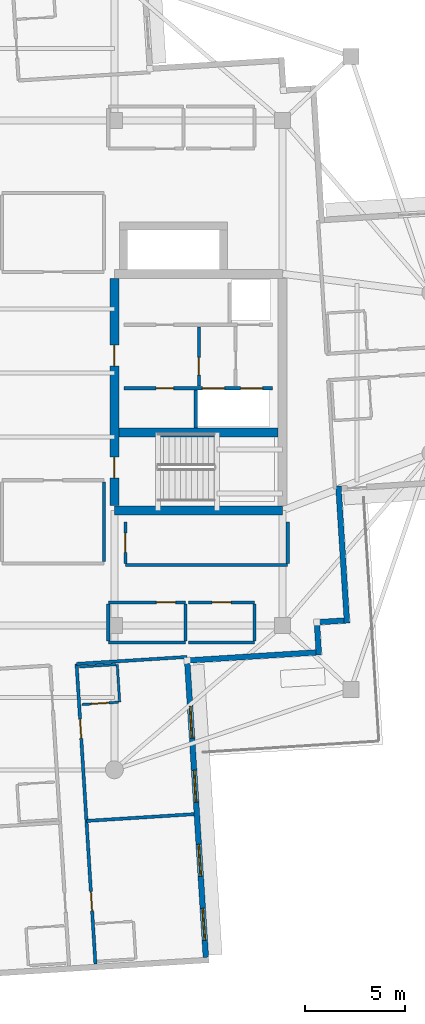
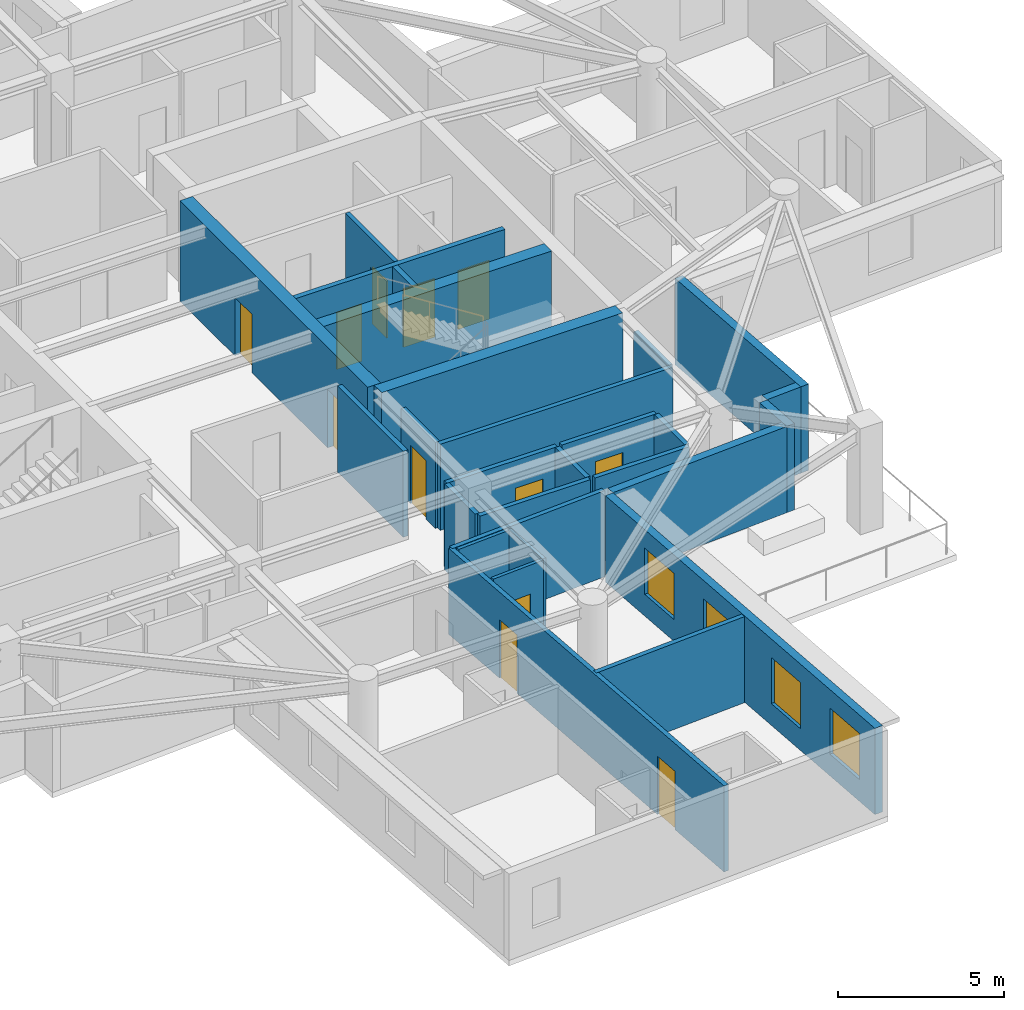
# One storey, part 5 of 13: 28 walls, 12 doors, 4 windows, 16 openings.
"""IFC4 building model written with IfcOpenShell, lengths in metres."""

from ifc_helpers import new_model, si_unit, direction, frame, frame_2d, origin, place, context, subcontext, project, spatial, rectangle, extrude, material, layer, layer_set, type_object, element, fill, save


model = new_model("IFC4")

# Units and contexts
model_context = context("Model", 3, precision=1e-05, world=origin(), true_north=direction((0.0, 1.0)))
body_context = subcontext(model_context, "Body", "Model", "MODEL_VIEW")
ifc_project = project(units=[si_unit("LENGTHUNIT", "METRE"), si_unit("AREAUNIT", "SQUARE_METRE"), si_unit("VOLUMEUNIT", "CUBIC_METRE"), si_unit("PLANEANGLEUNIT", "RADIAN"), si_unit("MASSUNIT", "GRAM", prefix="KILO")], contexts=[model_context])

# Site, building, storey
site_placement = place(None, origin())
site = spatial("IfcSite", under=ifc_project, at=site_placement, CompositionType="ELEMENT")
building_placement = place(site_placement, origin())
building = spatial("IfcBuilding", under=site, at=building_placement, Name="Qingluan Cross Belvedere", CompositionType="ELEMENT")
storey_placement = place(building_placement, frame((0.0, 0.0, 281.10009765625)))
storey = spatial("IfcBuildingStorey", under=building, at=storey_placement, Name="L70", CompositionType="ELEMENT", Elevation=281.10009765625)

# Wall
ifc_material_1 = material(Name="Concrete C50", Category="concrete")
ifc_layer_1 = layer(ifc_material_1, 0.449951171875, Name="CoreShearWall_450")
ifc_layer_set_1 = layer_set([ifc_layer_1], Name="Concrete C50")
wall_type_1 = type_object("IfcWallType", Name="CoreShearWall_450", PredefinedType="SHEAR", material=ifc_layer_set_1)
wall_1_placement = place(storey_placement, frame((4.0, -6.85009765625, 0.0), z_axis=(0.0, 0.0, 1.0), x_axis=(1.0, 0.0, 0.0)))
element("IfcWall", 1, at=wall_1_placement, inside=storey, type_object=wall_type_1, Name="Split core E shear wall L70-S", PredefinedType="SHEAR", context=body_context, shape_type="SweptSolid", body=[
    extrude(rectangle(XDim=8.39990234375, YDim=0.449951171875, at=frame_2d((4.199951171875, 0.0))), origin(), (0.0, 0.0, 1.0), 3.699951171875),
])

# Wall, openings, doors
wall_2_placement = place(storey_placement, frame((4.0, -6.6201171875, 0.0), z_axis=(0.0, 0.0, 1.0), x_axis=(0.0, 1.0, 0.0)))
wall_2 = element("IfcWall", 2, at=wall_2_placement, inside=storey, type_object=wall_type_1, Name="Split core E shear wall L70-W", PredefinedType="SHEAR", context=body_context, shape_type="SweptSolid", body=[
    extrude(rectangle(XDim=11.340087890625, YDim=0.449951171875, at=frame_2d((5.669921875, 0.0))), origin(), (0.0, 0.0, 1.0), 3.699951171875),
])
opening_1_placement = place(wall_2_placement, frame((1.3701171875, 0.0, 0.0)))
opening_1 = element("IfcOpeningElement", 3, at=opening_1_placement, cuts=wall_2, Name="Opening FD-B11", PredefinedType="OPENING", context=body_context, shape_type="SweptSolid", body=[
    extrude(rectangle(XDim=1.050048828125, YDim=2.14990234375, at=frame_2d((0.52490234375, 1.074951171875))), frame((0.0, 0.23486328125, 0.0), z_axis=(0.0, -1.0, 0.0), x_axis=(1.0, 0.0, 0.0)), (0.0, 0.0, 1.0), 0.469970703125),
])
opening_2_placement = place(wall_2_placement, frame((6.969970703125, 0.0, 0.0)))
opening_2 = element("IfcOpeningElement", 4, at=opening_2_placement, cuts=wall_2, Name="Opening FD-B11", PredefinedType="OPENING", context=body_context, shape_type="SweptSolid", body=[
    extrude(rectangle(XDim=1.050048828125, YDim=2.14990234375, at=frame_2d((0.52490234375, 1.074951171875))), frame((0.0, 0.23486328125, 0.0), z_axis=(0.0, -1.0, 0.0), x_axis=(1.0, 0.0, 0.0)), (0.0, 0.0, 1.0), 0.469970703125),
])
ifc_material_2 = material(Name="Steel Class B smoke-seal fire door", Category="steel")
door_type_1 = type_object("IfcDoorType", Name="StairLobbyFireDoor_FDB", OperationType="NOTDEFINED", PredefinedType="DOOR", material=ifc_material_2)
door_1_placement = place(opening_1_placement, origin())
door_1 = element("IfcDoor", 5, at=door_1_placement, inside=storey, type_object=door_type_1, Name="Smoke-proof stair ST2 fire door L70", OperationType="SINGLE_SWING_LEFT", OverallHeight=2.14990234375, OverallWidth=1.050048828125, PredefinedType="DOOR", context=body_context, shape_type="SweptSolid", body=[
    extrude(rectangle(XDim=1.050048828125, YDim=2.14990234375, at=frame_2d((0.52490234375, 1.074951171875))), frame((0.0, 0.02490234375, 0.0), z_axis=(0.0, -1.0, 0.0), x_axis=(1.0, 0.0, 0.0)), (0.0, 0.0, 1.0), 0.050048828125),
])
fill(opening_1, door_1)
door_2_placement = place(opening_2_placement, origin())
door_2 = element("IfcDoor", 6, at=door_2_placement, inside=storey, type_object=door_type_1, Name="Firefighting lobby East fire door L70", OperationType="SINGLE_SWING_LEFT", OverallHeight=2.14990234375, OverallWidth=1.050048828125, PredefinedType="DOOR", context=body_context, shape_type="SweptSolid", body=[
    extrude(rectangle(XDim=1.050048828125, YDim=2.14990234375, at=frame_2d((0.52490234375, 1.074951171875))), frame((0.0, 0.02490234375, 0.0), z_axis=(0.0, -1.0, 0.0), x_axis=(1.0, 0.0, 0.0)), (0.0, 0.0, 1.0), 0.050048828125),
])
fill(opening_2, door_2)

# Walls
wall_3_placement = place(storey_placement, frame((4.22998046875, -2.9599609375, 0.0), z_axis=(0.0, 0.0, 1.0), x_axis=(1.0, 0.0, 0.0)))
element("IfcWall", 7, at=wall_3_placement, inside=storey, type_object=wall_type_1, Name="Split core E shear wall L70-M", PredefinedType="SHEAR", context=body_context, shape_type="SweptSolid", body=[
    extrude(rectangle(XDim=7.93994140625, YDim=0.449951171875, at=frame_2d((3.969970703125, 0.0))), origin(), (0.0, 0.0, 1.0), 3.699951171875),
])
ifc_material_3 = material(Name="Gypsum plasterboard on steel stud acoustic partition", Category="steel")
ifc_layer_2 = layer(ifc_material_3, 0.159912109375, Name="CorridorPartition_160")
ifc_layer_set_2 = layer_set([ifc_layer_2], Name="Gypsum plasterboard on steel stud acoustic partition")
wall_type_2 = type_object("IfcWallType", Name="CorridorPartition_160", PredefinedType="PARTITIONING", material=ifc_layer_set_2)
wall_4_placement = place(storey_placement, frame((3.699951171875, -13.449951171875, 0.0), z_axis=(0.0, 0.0, 1.0), x_axis=(1.0, 0.0, 0.0)))
element("IfcWall", 8, at=wall_4_placement, inside=storey, type_object=wall_type_2, Name="Partition L70:q_se1:S", PredefinedType="PARTITIONING", context=body_context, shape_type="SweptSolid", body=[
    extrude(rectangle(XDim=3.85009765625, YDim=0.159912109375, at=frame_2d((1.925048828125, 0.0))), origin(), (0.0, 0.0, 1.0), 3.169921875),
])

# Wall, opening, door
wall_5_placement = place(storey_placement, frame((3.699951171875, -11.449951171875, 0.0), z_axis=(0.0, 0.0, 1.0), x_axis=(1.0, 0.0, 0.0)))
wall_5 = element("IfcWall", 9, at=wall_5_placement, inside=storey, type_object=wall_type_2, Name="Partition L70:q_se1:N", PredefinedType="PARTITIONING", context=body_context, shape_type="SweptSolid", body=[
    extrude(rectangle(XDim=3.85009765625, YDim=0.159912109375, at=frame_2d((1.925048828125, 0.0))), origin(), (0.0, 0.0, 1.0), 3.169921875),
])
opening_3_placement = place(wall_5_placement, frame((2.39501953125, 0.0, 0.0)))
opening_3 = element("IfcOpeningElement", 10, at=opening_3_placement, cuts=wall_5, Name="Opening GD-10", PredefinedType="OPENING", context=body_context, shape_type="SweptSolid", body=[
    extrude(rectangle(XDim=0.9599609375, YDim=2.14990234375, at=frame_2d((0.47998046875, 1.074951171875))), frame((0.0, 0.08984375, 0.0), z_axis=(0.0, -1.0, 0.0), x_axis=(1.0, 0.0, 0.0)), (0.0, 0.0, 1.0), 0.179931640625),
])
ifc_material_4 = material(Name="Timber oak fire-rated acoustic guestroom door", Category="wood")
door_type_2 = type_object("IfcDoorType", Name="GuestEntryDoor_FD60", OperationType="NOTDEFINED", PredefinedType="DOOR", material=ifc_material_4)
door_3_placement = place(opening_3_placement, origin())
door_3 = element("IfcDoor", 11, at=door_3_placement, inside=storey, type_object=door_type_2, Name="Private meeting salon L70 door", OperationType="SINGLE_SWING_RIGHT", OverallHeight=2.14990234375, OverallWidth=0.9599609375, PredefinedType="DOOR", context=body_context, shape_type="SweptSolid", body=[
    extrude(rectangle(XDim=0.9599609375, YDim=2.14990234375, at=frame_2d((0.47998046875, 1.074951171875))), frame((0.0, 0.02490234375, 0.0), z_axis=(0.0, -1.0, 0.0), x_axis=(1.0, 0.0, 0.0)), (0.0, 0.0, 1.0), 0.050048828125),
])
fill(opening_3, door_3)

# Walls
for number, where, z_axis, x_axis, name in (
    (12, (3.699951171875, -13.364990234375, 0.0), (0.0, 0.0, 1.0), (0.0, 1.0, 0.0), "Partition L70:q_se1:W"),
    (13, (7.550048828125, -13.364990234375, 0.0), (0.0, 0.0, 1.0), (0.0, 1.0, 0.0), "Partition L70:q_se1:E"),
):
    element("IfcWall", number, at=place(storey_placement, frame(where, z_axis=z_axis, x_axis=x_axis)), inside=storey, type_object=wall_type_2, Name=name, PredefinedType="PARTITIONING", context=body_context, shape_type="SweptSolid", body=[
        extrude(rectangle(XDim=1.830078125, YDim=0.159912109375, at=frame_2d((0.9150390625, 0.0))), origin(), (0.0, 0.0, 1.0), 3.169921875),
    ])
wall_6_placement = place(storey_placement, frame((7.7099609375, -13.449951171875, 0.0), z_axis=(0.0, 0.0, 1.0), x_axis=(1.0, 0.0, 0.0)))
element("IfcWall", 14, at=wall_6_placement, inside=storey, type_object=wall_type_2, Name="Partition L70:q_se2:S", PredefinedType="PARTITIONING", context=body_context, shape_type="SweptSolid", body=[
    extrude(rectangle(XDim=3.2900390625, YDim=0.159912109375, at=frame_2d((1.64501953125, 0.0))), origin(), (0.0, 0.0, 1.0), 3.169921875),
])

# Wall, opening, door
wall_7_placement = place(storey_placement, frame((7.7099609375, -11.449951171875, 0.0), z_axis=(0.0, 0.0, 1.0), x_axis=(1.0, 0.0, 0.0)))
wall_7 = element("IfcWall", 15, at=wall_7_placement, inside=storey, type_object=wall_type_2, Name="Partition L70:q_se2:N", PredefinedType="PARTITIONING", context=body_context, shape_type="SweptSolid", body=[
    extrude(rectangle(XDim=3.2900390625, YDim=0.159912109375, at=frame_2d((1.64501953125, 0.0))), origin(), (0.0, 0.0, 1.0), 3.169921875),
])
opening_4_placement = place(wall_7_placement, frame((1.1650390625, 0.0, 0.0)))
opening_4 = element("IfcOpeningElement", 16, at=opening_4_placement, cuts=wall_7, Name="Opening GD-10", PredefinedType="OPENING", context=body_context, shape_type="SweptSolid", body=[
    extrude(rectangle(XDim=0.9599609375, YDim=2.14990234375, at=frame_2d((0.47998046875, 1.074951171875))), frame((0.0, 0.08984375, 0.0), z_axis=(0.0, -1.0, 0.0), x_axis=(1.0, 0.0, 0.0)), (0.0, 0.0, 1.0), 0.179931640625),
])
door_4_placement = place(opening_4_placement, origin())
door_4 = element("IfcDoor", 17, at=door_4_placement, inside=storey, type_object=door_type_2, Name="Southeast study room L70 door", OperationType="SINGLE_SWING_LEFT", OverallHeight=2.14990234375, OverallWidth=0.9599609375, PredefinedType="DOOR", context=body_context, shape_type="SweptSolid", body=[
    extrude(rectangle(XDim=0.9599609375, YDim=2.14990234375, at=frame_2d((0.47998046875, 1.074951171875))), frame((0.0, 0.02490234375, 0.0), z_axis=(0.0, -1.0, 0.0), x_axis=(1.0, 0.0, 0.0)), (0.0, 0.0, 1.0), 0.050048828125),
])
fill(opening_4, door_4)

# Walls
wall_8_placement = place(storey_placement, frame((11.0, -13.364990234375, 0.0), z_axis=(0.0, 0.0, 1.0), x_axis=(0.0, 1.0, 0.0)))
element("IfcWall", 18, at=wall_8_placement, inside=storey, type_object=wall_type_2, Name="Partition L70:q_se2:E", PredefinedType="PARTITIONING", context=body_context, shape_type="SweptSolid", body=[
    extrude(rectangle(XDim=1.830078125, YDim=0.159912109375, at=frame_2d((0.9150390625, 0.0))), origin(), (0.0, 0.0, 1.0), 3.169921875),
])
wall_9_placement = place(storey_placement, frame((3.47998046875, -9.4150390625, 0.0), z_axis=(0.0, 0.0, 1.0), x_axis=(0.0, 1.0, 0.0)))
element("IfcWall", 19, at=wall_9_placement, inside=storey, type_object=wall_type_2, Name="Partition L70:sky_south_alcove:E", PredefinedType="PARTITIONING", context=body_context, shape_type="SweptSolid", body=[
    extrude(rectangle(XDim=3.97998046875, YDim=0.159912109375, at=frame_2d((1.989990234375, 0.0))), origin(), (0.0, 0.0, 1.0), 3.169921875),
])
wall_10_placement = place(storey_placement, frame((4.550048828125, -9.580078125, 0.0), z_axis=(0.0, 0.0, 1.0), x_axis=(1.0, 0.0, 0.0)))
element("IfcWall", 20, at=wall_10_placement, inside=storey, type_object=wall_type_2, Name="Partition L70:rec_st4:S", PredefinedType="PARTITIONING", context=body_context, shape_type="SweptSolid", body=[
    extrude(rectangle(XDim=8.099853515625, YDim=0.159912109375, at=frame_2d((4.0498046875, 0.0))), origin(), (0.0, 0.0, 1.0), 3.169921875),
])

# Wall, opening, door
wall_11_placement = place(storey_placement, frame((4.550048828125, -9.4951171875, 0.0), z_axis=(0.0, 0.0, 1.0), x_axis=(0.0, 1.0, 0.0)))
wall_11 = element("IfcWall", 21, at=wall_11_placement, inside=storey, type_object=wall_type_2, Name="Partition L70:rec_st4:W", PredefinedType="PARTITIONING", context=body_context, shape_type="SweptSolid", body=[
    extrude(rectangle(XDim=2.06005859375, YDim=0.159912109375, at=frame_2d((1.030029296875, 0.0))), origin(), (0.0, 0.0, 1.0), 3.169921875),
])
opening_5_placement = place(wall_11_placement, frame((0.550048828125, 0.0, 0.0)))
opening_5 = element("IfcOpeningElement", 22, at=opening_5_placement, cuts=wall_11, Name="Opening GD-10", PredefinedType="OPENING", context=body_context, shape_type="SweptSolid", body=[
    extrude(rectangle(XDim=0.9599609375, YDim=2.14990234375, at=frame_2d((0.47998046875, 1.074951171875))), frame((0.0, 0.08984375, 0.0), z_axis=(0.0, -1.0, 0.0), x_axis=(1.0, 0.0, 0.0)), (0.0, 0.0, 1.0), 0.179931640625),
])
door_5_placement = place(opening_5_placement, origin())
door_5 = element("IfcDoor", 23, at=door_5_placement, inside=storey, type_object=door_type_2, Name="Southeast club library room L70 door", OperationType="SINGLE_SWING_LEFT", OverallHeight=2.14990234375, OverallWidth=0.9599609375, PredefinedType="DOOR", context=body_context, shape_type="SweptSolid", body=[
    extrude(rectangle(XDim=0.9599609375, YDim=2.14990234375, at=frame_2d((0.47998046875, 1.074951171875))), frame((0.0, 0.02490234375, 0.0), z_axis=(0.0, -1.0, 0.0), x_axis=(1.0, 0.0, 0.0)), (0.0, 0.0, 1.0), 0.050048828125),
])
fill(opening_5, door_5)

# Wall
wall_12_placement = place(storey_placement, frame((12.64990234375, -9.4951171875, 0.0), z_axis=(0.0, 0.0, 1.0), x_axis=(0.0, 1.0, 0.0)))
element("IfcWall", 24, at=wall_12_placement, inside=storey, type_object=wall_type_2, Name="Partition L70:rec_st4:E", PredefinedType="PARTITIONING", context=body_context, shape_type="SweptSolid", body=[
    extrude(rectangle(XDim=2.06005859375, YDim=0.159912109375, at=frame_2d((1.030029296875, 0.0))), origin(), (0.0, 0.0, 1.0), 3.169921875),
])

# Wall, openings, doors
wall_13_placement = place(storey_placement, frame((2.115478515625, -14.515869140625, 0.0), z_axis=(0.0, 0.0, 1.0), x_axis=(0.062791373209, -0.998026674719, 0.0)))
wall_13 = element("IfcWall", 25, at=wall_13_placement, inside=storey, type_object=wall_type_2, Name="Partition L70:S:c0", PredefinedType="PARTITIONING", context=body_context, shape_type="SweptSolid", body=[
    extrude(rectangle(XDim=15.011962890625, YDim=0.159912109375, at=frame_2d((7.505859375, 0.0))), origin(), (0.0, 0.0, 1.0), 3.169921875),
])
opening_6_placement = place(wall_13_placement, frame((2.764892578125, 0.0, 0.0)))
opening_6 = element("IfcOpeningElement", 26, at=opening_6_placement, cuts=wall_13, Name="Opening GD-10", PredefinedType="OPENING", context=body_context, shape_type="SweptSolid", body=[
    extrude(rectangle(XDim=0.9599609375, YDim=2.14990234375, at=frame_2d((0.47998046875, 1.074951171875))), frame((0.0, 0.08984375, 0.0), z_axis=(0.0, -1.0, 0.0), x_axis=(1.0, 0.0, 0.0)), (0.0, 0.0, 1.0), 0.179931640625),
])
opening_7_placement = place(wall_13_placement, frame((11.381103515625, 0.0, 0.0)))
opening_7 = element("IfcOpeningElement", 27, at=opening_7_placement, cuts=wall_13, Name="Opening GD-10", PredefinedType="OPENING", context=body_context, shape_type="SweptSolid", body=[
    extrude(rectangle(XDim=0.9599609375, YDim=2.14990234375, at=frame_2d((0.47998046875, 1.074951171875))), frame((0.0, 0.08984375, 0.0), z_axis=(0.0, -1.0, 0.0), x_axis=(1.0, 0.0, 0.0)), (0.0, 0.0, 1.0), 0.179931640625),
])
door_6_placement = place(opening_6_placement, origin())
door_6 = element("IfcDoor", 28, at=door_6_placement, inside=storey, type_object=door_type_2, Name="Guest entry fire door 7015", OperationType="SINGLE_SWING_LEFT", OverallHeight=2.14990234375, OverallWidth=0.9599609375, PredefinedType="DOOR", context=body_context, shape_type="SweptSolid", body=[
    extrude(rectangle(XDim=0.9599609375, YDim=2.14990234375, at=frame_2d((0.47998046875, 1.074951171875))), frame((0.0, 0.02490234375, 0.0), z_axis=(0.0, -1.0, 0.0), x_axis=(1.0, 0.0, 0.0)), (0.0, 0.0, 1.0), 0.050048828125),
])
fill(opening_6, door_6)
door_7_placement = place(opening_7_placement, origin())
door_7 = element("IfcDoor", 29, at=door_7_placement, inside=storey, type_object=door_type_2, Name="Guest entry fire door 7016", OperationType="SINGLE_SWING_LEFT", OverallHeight=2.14990234375, OverallWidth=0.9599609375, PredefinedType="DOOR", context=body_context, shape_type="SweptSolid", body=[
    extrude(rectangle(XDim=0.9599609375, YDim=2.14990234375, at=frame_2d((0.47998046875, 1.074951171875))), frame((0.0, 0.02490234375, 0.0), z_axis=(0.0, -1.0, 0.0), x_axis=(1.0, 0.0, 0.0)), (0.0, 0.0, 1.0), 0.050048828125),
])
fill(opening_7, door_7)

# Walls
wall_14_placement = place(storey_placement, frame((2.115478515625, -14.515869140625, 0.0), z_axis=(0.0, 0.0, 1.0), x_axis=(0.998025986639, 0.062802308829, 0.0)))
element("IfcWall", 30, at=wall_14_placement, inside=storey, type_object=wall_type_2, Name="Partition L70:S:s0", PredefinedType="PARTITIONING", context=body_context, shape_type="SweptSolid", body=[
    extrude(rectangle(XDim=5.520263671875, YDim=0.159912109375, at=frame_2d((2.76025390625, 0.0))), origin(), (0.0, 0.0, 1.0), 3.169921875),
])
wall_15_placement = place(storey_placement, frame((2.608642578125, -22.353271484375, 0.0), z_axis=(0.0, 0.0, 1.0), x_axis=(0.998028633246, 0.062760235987, 0.0)))
element("IfcWall", 31, at=wall_15_placement, inside=storey, type_object=wall_type_2, Name="Partition L70:S:d0_0", PredefinedType="PARTITIONING", context=body_context, shape_type="SweptSolid", body=[
    extrude(rectangle(XDim=5.3720703125, YDim=0.159912109375, at=frame_2d((2.68603515625, 0.0))), origin(), (0.0, 0.0, 1.0), 3.169921875),
])

# Wall, opening, door
ifc_material_5 = material(Name="Moisture-resistant gypsum board lining")
ifc_layer_3 = layer(ifc_material_5, 0.1201171875, Name="EnsuiteWetPartition_120")
ifc_layer_set_3 = layer_set([ifc_layer_3], Name="Moisture-resistant gypsum board lining")
wall_type_3 = type_object("IfcWallType", Name="EnsuiteWetPartition_120", PredefinedType="PARTITIONING", material=ifc_layer_set_3)
wall_16_placement = place(storey_placement, frame((2.38330078125, -16.54296875, 0.0), z_axis=(0.0, 0.0, 1.0), x_axis=(0.998027972529, 0.062770741989, 0.0)))
wall_16 = element("IfcWall", 32, at=wall_16_placement, inside=storey, type_object=wall_type_3, Name="Partition L70:S:bs0_0", PredefinedType="PARTITIONING", context=body_context, shape_type="SweptSolid", body=[
    extrude(rectangle(XDim=1.8203125, YDim=0.1201171875, at=frame_2d((0.91015625, 0.0))), origin(), (0.0, 0.0, 1.0), 3.169921875),
])
opening_8_placement = place(wall_16_placement, frame((0.469970703125, 0.0, 0.0)))
opening_8 = element("IfcOpeningElement", 33, at=opening_8_placement, cuts=wall_16, Name="Opening BD-09", PredefinedType="OPENING", context=body_context, shape_type="SweptSolid", body=[
    extrude(rectangle(XDim=0.8798828125, YDim=2.10009765625, at=frame_2d((0.43994140625, 1.050048828125))), frame((0.0, 0.070068359375, 0.0), z_axis=(0.0, -1.0, 0.0), x_axis=(1.0, 0.0, 0.0)), (0.0, 0.0, 1.0), 0.14013671875),
])
ifc_material_6 = material(Name="Moisture-sealed timber en-suite door", Category="wood")
door_type_3 = type_object("IfcDoorType", Name="BathroomDoor_880", OperationType="NOTDEFINED", PredefinedType="DOOR", material=ifc_material_6)
door_8_placement = place(opening_8_placement, origin())
door_8 = element("IfcDoor", 34, at=door_8_placement, inside=storey, type_object=door_type_3, Name="Bathroom door 7015", OperationType="SINGLE_SWING_RIGHT", OverallHeight=2.10009765625, OverallWidth=0.8798828125, PredefinedType="DOOR", context=body_context, shape_type="SweptSolid", body=[
    extrude(rectangle(XDim=0.8798828125, YDim=2.10009765625, at=frame_2d((0.43994140625, 1.050048828125))), frame((0.0, 0.02490234375, 0.0), z_axis=(0.0, -1.0, 0.0), x_axis=(1.0, 0.0, 0.0)), (0.0, 0.0, 1.0), 0.050048828125),
])
fill(opening_8, door_8)

# Walls
wall_17_placement = place(storey_placement, frame((2.265380859375, -14.666748046875, 0.0), z_axis=(0.0, 0.0, 1.0), x_axis=(0.998027443946, 0.062779145668, 0.0)))
element("IfcWall", 35, at=wall_17_placement, inside=storey, type_object=wall_type_3, Name="Partition L70:S:bw0_0", PredefinedType="PARTITIONING", context=body_context, shape_type="SweptSolid", body=[
    extrude(rectangle(XDim=1.820068359375, YDim=0.1201171875, at=frame_2d((0.91015625, 0.0))), origin(), (0.0, 0.0, 1.0), 3.169921875),
])
wall_18_placement = place(storey_placement, frame((4.146728515625, -14.54833984375, 0.0), z_axis=(0.0, 0.0, 1.0), x_axis=(0.062725942896, -0.998030789148, 0.0)))
element("IfcWall", 36, at=wall_18_placement, inside=storey, type_object=wall_type_3, Name="Partition L70:S:bn0_0", PredefinedType="PARTITIONING", context=body_context, shape_type="SweptSolid", body=[
    extrude(rectangle(XDim=1.8798828125, YDim=0.1201171875, at=frame_2d((0.93994140625, 0.0))), origin(), (0.0, 0.0, 1.0), 3.169921875),
])

# Wall, openings, windows
ifc_material_7 = material(Name="Precast concrete C45", Category="concrete")
ifc_layer_4 = layer(ifc_material_7, 0.280029296875, Name="PrecastFacadeWall_280")
ifc_layer_set_4 = layer_set([ifc_layer_4], Name="Precast concrete C45")
wall_type_4 = type_object("IfcWallType", Name="PrecastFacadeWall_280", PredefinedType="STANDARD", material=ifc_layer_set_4)
wall_19_placement = place(storey_placement, frame((8.56787109375, -29.15966796875, 0.0), z_axis=(0.0, 0.0, 1.0), x_axis=(-0.062794967833, 0.998026448555, 0.0)))
wall_19 = element("IfcWall", 37, at=wall_19_placement, inside=storey, type_object=wall_type_4, Name="Facade wall L70-SB", PredefinedType="STANDARD", context=body_context, shape_type="SweptSolid", body=[
    extrude(rectangle(XDim=14.7001953125, YDim=0.280029296875, at=frame_2d((7.35009765625, 0.0))), origin(), (0.0, 0.0, 1.0), 3.179931640625),
])
opening_9_placement = place(wall_19_placement, frame((0.85009765625, 0.0, 0.800048828125)))
opening_9 = element("IfcOpeningElement", 38, at=opening_9_placement, cuts=wall_19, Name="Opening W-04", PredefinedType="OPENING", context=body_context, shape_type="SweptSolid", body=[
    extrude(rectangle(XDim=1.60009765625, YDim=1.699951171875, at=frame_2d((0.800048828125, 0.85009765625))), frame((0.0, 0.14990234375, 0.0), z_axis=(0.0, -1.0, 0.0), x_axis=(1.0, 0.0, 0.0)), (0.0, 0.0, 1.0), 0.300048828125),
])
opening_10_placement = place(wall_19_placement, frame((4.050048828125, 0.0, 0.800048828125)))
opening_10 = element("IfcOpeningElement", 39, at=opening_10_placement, cuts=wall_19, Name="Opening W-04", PredefinedType="OPENING", context=body_context, shape_type="SweptSolid", body=[
    extrude(rectangle(XDim=1.60009765625, YDim=1.699951171875, at=frame_2d((0.800048828125, 0.85009765625))), frame((0.0, 0.14990234375, 0.0), z_axis=(0.0, -1.0, 0.0), x_axis=(1.0, 0.0, 0.0)), (0.0, 0.0, 1.0), 0.300048828125),
])
opening_11_placement = place(wall_19_placement, frame((7.75, 0.0, 0.800048828125)))
opening_11 = element("IfcOpeningElement", 40, at=opening_11_placement, cuts=wall_19, Name="Opening W-04", PredefinedType="OPENING", context=body_context, shape_type="SweptSolid", body=[
    extrude(rectangle(XDim=1.60009765625, YDim=1.699951171875, at=frame_2d((0.800048828125, 0.85009765625))), frame((0.0, 0.14990234375, 0.0), z_axis=(0.0, -1.0, 0.0), x_axis=(1.0, 0.0, 0.0)), (0.0, 0.0, 1.0), 0.300048828125),
])
opening_12_placement = place(wall_19_placement, frame((10.949951171875, 0.0, 0.800048828125)))
opening_12 = element("IfcOpeningElement", 41, at=opening_12_placement, cuts=wall_19, Name="Opening W-04", PredefinedType="OPENING", context=body_context, shape_type="SweptSolid", body=[
    extrude(rectangle(XDim=1.60009765625, YDim=1.699951171875, at=frame_2d((0.800048828125, 0.85009765625))), frame((0.0, 0.14990234375, 0.0), z_axis=(0.0, -1.0, 0.0), x_axis=(1.0, 0.0, 0.0)), (0.0, 0.0, 1.0), 0.300048828125),
])
ifc_material_8 = material(Name="Thermally broken triple Low-E glass in aluminium frame", Category="aluminium")
window_type = type_object("IfcWindowType", Name="SuiteCornerWin_1600x1700", PartitioningType="SINGLE_PANEL", PredefinedType="WINDOW", material=ifc_material_8)
window_1_placement = place(opening_9_placement, origin())
window_1 = element("IfcWindow", 42, at=window_1_placement, inside=storey, type_object=window_type, Name="Ribbon window L70-SB-1", OverallHeight=1.699951171875, OverallWidth=1.60009765625, PartitioningType="SINGLE_PANEL", PredefinedType="WINDOW", context=body_context, shape_type="SweptSolid", body=[
    extrude(rectangle(XDim=1.60009765625, YDim=1.699951171875, at=frame_2d((0.800048828125, 0.85009765625))), frame((0.0, 0.030029296875, 0.0), z_axis=(0.0, -1.0, 0.0), x_axis=(1.0, 0.0, 0.0)), (0.0, 0.0, 1.0), 0.06005859375),
])
fill(opening_9, window_1)
window_2_placement = place(opening_10_placement, origin())
window_2 = element("IfcWindow", 43, at=window_2_placement, inside=storey, type_object=window_type, Name="Ribbon window L70-SB-2", OverallHeight=1.699951171875, OverallWidth=1.60009765625, PartitioningType="SINGLE_PANEL", PredefinedType="WINDOW", context=body_context, shape_type="SweptSolid", body=[
    extrude(rectangle(XDim=1.60009765625, YDim=1.699951171875, at=frame_2d((0.800048828125, 0.85009765625))), frame((0.0, 0.030029296875, 0.0), z_axis=(0.0, -1.0, 0.0), x_axis=(1.0, 0.0, 0.0)), (0.0, 0.0, 1.0), 0.06005859375),
])
fill(opening_10, window_2)
window_3_placement = place(opening_11_placement, origin())
window_3 = element("IfcWindow", 44, at=window_3_placement, inside=storey, type_object=window_type, Name="Ribbon window L70-SB-3", OverallHeight=1.699951171875, OverallWidth=1.60009765625, PartitioningType="SINGLE_PANEL", PredefinedType="WINDOW", context=body_context, shape_type="SweptSolid", body=[
    extrude(rectangle(XDim=1.60009765625, YDim=1.699951171875, at=frame_2d((0.800048828125, 0.85009765625))), frame((0.0, 0.030029296875, 0.0), z_axis=(0.0, -1.0, 0.0), x_axis=(1.0, 0.0, 0.0)), (0.0, 0.0, 1.0), 0.06005859375),
])
fill(opening_11, window_3)
window_4_placement = place(opening_12_placement, origin())
window_4 = element("IfcWindow", 45, at=window_4_placement, inside=storey, type_object=window_type, Name="Ribbon window L70-SB-4", OverallHeight=1.699951171875, OverallWidth=1.60009765625, PartitioningType="SINGLE_PANEL", PredefinedType="WINDOW", context=body_context, shape_type="SweptSolid", body=[
    extrude(rectangle(XDim=1.60009765625, YDim=1.699951171875, at=frame_2d((0.800048828125, 0.85009765625))), frame((0.0, 0.030029296875, 0.0), z_axis=(0.0, -1.0, 0.0), x_axis=(1.0, 0.0, 0.0)), (0.0, 0.0, 1.0), 0.06005859375),
])
fill(opening_12, window_4)

# Walls
wall_20_placement = place(storey_placement, frame((15.18408203125, -5.6376953125, 0.0), z_axis=(0.0, 0.0, 1.0), x_axis=(0.062779317195, -0.998027433156, 0.0)))
element("IfcWall", 46, at=wall_20_placement, inside=storey, type_object=wall_type_4, Name="Corner wall L70-SE1", PredefinedType="STANDARD", context=body_context, shape_type="SweptSolid", body=[
    extrude(rectangle(XDim=6.85986328125, YDim=0.280029296875, at=frame_2d((3.429931640625, 0.0))), origin(), (0.0, 0.0, 1.0), 3.179931640625),
])
wall_21_placement = place(storey_placement, frame((15.46630859375, -12.353271484375, 0.0), z_axis=(0.0, 0.0, 1.0), x_axis=(-0.998024450254, -0.062826719603, 0.0)))
element("IfcWall", 47, at=wall_21_placement, inside=storey, type_object=wall_type_4, Name="Corner wall L70-SE2", PredefinedType="STANDARD", context=body_context, shape_type="SweptSolid", body=[
    extrude(rectangle(XDim=1.22021484375, YDim=0.280029296875, at=frame_2d((0.610107421875, 0.0))), origin(), (0.0, 0.0, 1.0), 3.179931640625),
])
wall_22_placement = place(storey_placement, frame((14.11767578125, -12.578369140625, 0.0), z_axis=(0.0, 0.0, 1.0), x_axis=(0.062824119533, -0.998024613927, 0.0)))
element("IfcWall", 48, at=wall_22_placement, inside=storey, type_object=wall_type_4, Name="Corner wall L70-SE3", PredefinedType="STANDARD", context=body_context, shape_type="SweptSolid", body=[
    extrude(rectangle(XDim=1.5, YDim=0.280029296875, at=frame_2d((0.75, 0.0))), origin(), (0.0, 0.0, 1.0), 3.179931640625),
])
wall_23_placement = place(storey_placement, frame((14.063232421875, -13.944580078125, 0.0), z_axis=(0.0, 0.0, 1.0), x_axis=(-0.998027314704, -0.062781200242, 0.0)))
element("IfcWall", 49, at=wall_23_placement, inside=storey, type_object=wall_type_4, Name="Corner wall L70-SE4", PredefinedType="STANDARD", context=body_context, shape_type="SweptSolid", body=[
    extrude(rectangle(XDim=6.2998046875, YDim=0.280029296875, at=frame_2d((3.14990234375, 0.0))), origin(), (0.0, 0.0, 1.0), 3.179931640625),
])

# Wall, openings, doors
ifc_material_9 = material(Name="Concrete C40", Category="concrete")
ifc_layer_5 = layer(ifc_material_9, 0.219970703125, Name="ShaftEnclosureWall_250")
ifc_layer_set_5 = layer_set([ifc_layer_5], Name="Concrete C40")
wall_type_5 = type_object("IfcWallType", Name="ShaftEnclosureWall_250", PredefinedType="SOLIDWALL", material=ifc_layer_set_5)
wall_24_placement = place(storey_placement, frame((4.47998046875, -0.75, 0.0), z_axis=(0.0, 0.0, 1.0), x_axis=(1.0, 0.0, 0.0)))
wall_24 = element("IfcWall", 50, at=wall_24_placement, inside=storey, type_object=wall_type_5, Name="Core-E mid hoistway wall L70", PredefinedType="SOLIDWALL", context=body_context, shape_type="SweptSolid", body=[
    extrude(rectangle(XDim=7.419921875, YDim=0.179931640625, at=frame_2d((3.7099609375, 0.0))), origin(), (0.0, 0.0, 1.0), 3.169921875),
])
opening_13_placement = place(wall_24_placement, frame((3.919921875, 0.0, 0.0)))
opening_13 = element("IfcOpeningElement", 51, at=opening_13_placement, cuts=wall_24, Name="Opening LD-11", PredefinedType="OPENING", context=body_context, shape_type="SweptSolid", body=[
    extrude(rectangle(XDim=1.10009765625, YDim=2.14990234375, at=frame_2d((0.550048828125, 1.074951171875))), frame((0.0, 0.099853515625, 0.0), z_axis=(0.0, -1.0, 0.0), x_axis=(1.0, 0.0, 0.0)), (0.0, 0.0, 1.0), 0.199951171875),
])
opening_14_placement = place(wall_24_placement, frame((5.820068359375, 0.0, 0.0)))
opening_14 = element("IfcOpeningElement", 52, at=opening_14_placement, cuts=wall_24, Name="Opening LD-11", PredefinedType="OPENING", context=body_context, shape_type="SweptSolid", body=[
    extrude(rectangle(XDim=1.10009765625, YDim=2.14990234375, at=frame_2d((0.550048828125, 1.074951171875))), frame((0.0, 0.099853515625, 0.0), z_axis=(0.0, -1.0, 0.0), x_axis=(1.0, 0.0, 0.0)), (0.0, 0.0, 1.0), 0.199951171875),
])
opening_15_placement = place(wall_24_placement, frame((1.60009765625, 0.0, 0.0)))
opening_15 = element("IfcOpeningElement", 53, at=opening_15_placement, cuts=wall_24, Name="Opening FD-B10", PredefinedType="OPENING", context=body_context, shape_type="SweptSolid", body=[
    extrude(rectangle(XDim=0.8798828125, YDim=2.10009765625, at=frame_2d((0.43994140625, 1.050048828125))), frame((0.0, 0.099853515625, 0.0), z_axis=(0.0, -1.0, 0.0), x_axis=(1.0, 0.0, 0.0)), (0.0, 0.0, 1.0), 0.199951171875),
])
ifc_material_10 = material(Name="Brushed stainless steel centre-opening lift landing door", Category="steel")
door_type_4 = type_object("IfcDoorType", Name="LiftLandingSlidingDoor_1100", OperationType="DOUBLE_DOOR_SLIDING", PredefinedType="DOOR", material=ifc_material_10)
door_9_placement = place(opening_13_placement, origin())
door_9 = element("IfcDoor", 54, at=door_9_placement, inside=storey, type_object=door_type_4, Name="Lift landing sliding door LP9 L70", OperationType="DOUBLE_DOOR_SLIDING", OverallHeight=2.14990234375, OverallWidth=1.10009765625, PredefinedType="DOOR", context=body_context, shape_type="SweptSolid", body=[
    extrude(rectangle(XDim=1.10009765625, YDim=2.14990234375, at=frame_2d((0.550048828125, 1.074951171875))), frame((0.0, 0.02490234375, 0.0), z_axis=(0.0, -1.0, 0.0), x_axis=(1.0, 0.0, 0.0)), (0.0, 0.0, 1.0), 0.050048828125),
])
fill(opening_13, door_9)
door_10_placement = place(opening_14_placement, origin())
door_10 = element("IfcDoor", 55, at=door_10_placement, inside=storey, type_object=door_type_4, Name="Lift landing sliding door LP10 L70", OperationType="DOUBLE_DOOR_SLIDING", OverallHeight=2.14990234375, OverallWidth=1.10009765625, PredefinedType="DOOR", context=body_context, shape_type="SweptSolid", body=[
    extrude(rectangle(XDim=1.10009765625, YDim=2.14990234375, at=frame_2d((0.550048828125, 1.074951171875))), frame((0.0, 0.02490234375, 0.0), z_axis=(0.0, -1.0, 0.0), x_axis=(1.0, 0.0, 0.0)), (0.0, 0.0, 1.0), 0.050048828125),
])
fill(opening_14, door_10)
ifc_material_11 = material(Name="Steel Class B service fire door", Category="steel")
door_type_5 = type_object("IfcDoorType", Name="RiserServiceFireDoor_FDB", OperationType="NOTDEFINED", PredefinedType="DOOR", material=ifc_material_11)
door_11_placement = place(opening_15_placement, origin())
door_11 = element("IfcDoor", 56, at=door_11_placement, inside=storey, type_object=door_type_5, Name="Upper-zone linen store door L70", OperationType="SINGLE_SWING_RIGHT", OverallHeight=2.10009765625, OverallWidth=0.8798828125, PredefinedType="DOOR", context=body_context, shape_type="SweptSolid", body=[
    extrude(rectangle(XDim=0.8798828125, YDim=2.10009765625, at=frame_2d((0.43994140625, 1.050048828125))), frame((0.0, 0.02490234375, 0.0), z_axis=(0.0, -1.0, 0.0), x_axis=(1.0, 0.0, 0.0)), (0.0, 0.0, 1.0), 0.050048828125),
])
fill(opening_15, door_11)

# Wall
wall_25_placement = place(storey_placement, frame((8.06005859375, -2.72998046875, 0.0), z_axis=(0.0, 0.0, 1.0), x_axis=(0.0, 1.0, 0.0)))
element("IfcWall", 57, at=wall_25_placement, inside=storey, type_object=wall_type_5, Name="Hoistway enclosure divider LP9W L70", PredefinedType="SOLIDWALL", context=body_context, shape_type="SweptSolid", body=[
    extrude(rectangle(XDim=1.889892578125, YDim=0.179931640625, at=frame_2d((0.94482421875, 0.0))), origin(), (0.0, 0.0, 1.0), 3.169921875),
])

# Wall, opening, door
wall_26_placement = place(storey_placement, frame((8.219970703125, -0.64990234375, 0.0), z_axis=(0.0, 0.0, 1.0), x_axis=(0.0, 1.0, 0.0)))
wall_26 = element("IfcWall", 58, at=wall_26_placement, inside=storey, type_object=wall_type_5, Name="Core-E service corridor wall L70", PredefinedType="SOLIDWALL", context=body_context, shape_type="SweptSolid", body=[
    extrude(rectangle(XDim=2.9599609375, YDim=0.139892578125, at=frame_2d((1.47998046875, 0.0))), origin(), (0.0, 0.0, 1.0), 3.169921875),
])
opening_16_placement = place(wall_26_placement, frame((0.550048828125, 0.0, 0.0)))
opening_16 = element("IfcOpeningElement", 59, at=opening_16_placement, cuts=wall_26, Name="Opening FD-B10", PredefinedType="OPENING", context=body_context, shape_type="SweptSolid", body=[
    extrude(rectangle(XDim=0.8798828125, YDim=2.10009765625, at=frame_2d((0.43994140625, 1.050048828125))), frame((0.0, 0.079833984375, 0.0), z_axis=(0.0, -1.0, 0.0), x_axis=(1.0, 0.0, 0.0)), (0.0, 0.0, 1.0), 0.159912109375),
])
door_12_placement = place(opening_16_placement, origin())
door_12 = element("IfcDoor", 60, at=door_12_placement, inside=storey, type_object=door_type_5, Name="Core-E service room door L70", OperationType="SINGLE_SWING_RIGHT", OverallHeight=2.10009765625, OverallWidth=0.8798828125, PredefinedType="DOOR", context=body_context, shape_type="SweptSolid", body=[
    extrude(rectangle(XDim=0.8798828125, YDim=2.10009765625, at=frame_2d((0.43994140625, 1.050048828125))), frame((0.0, 0.02490234375, 0.0), z_axis=(0.0, -1.0, 0.0), x_axis=(1.0, 0.0, 0.0)), (0.0, 0.0, 1.0), 0.050048828125),
])
fill(opening_16, door_12)

save(model, "model.ifc")
